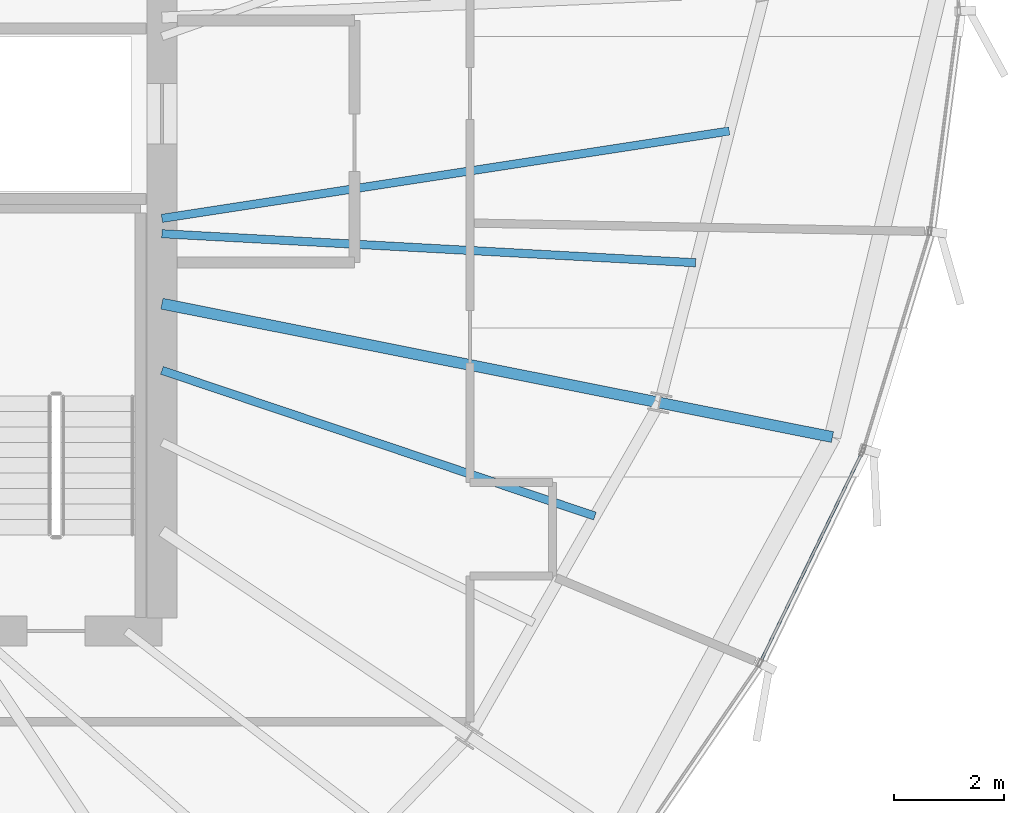
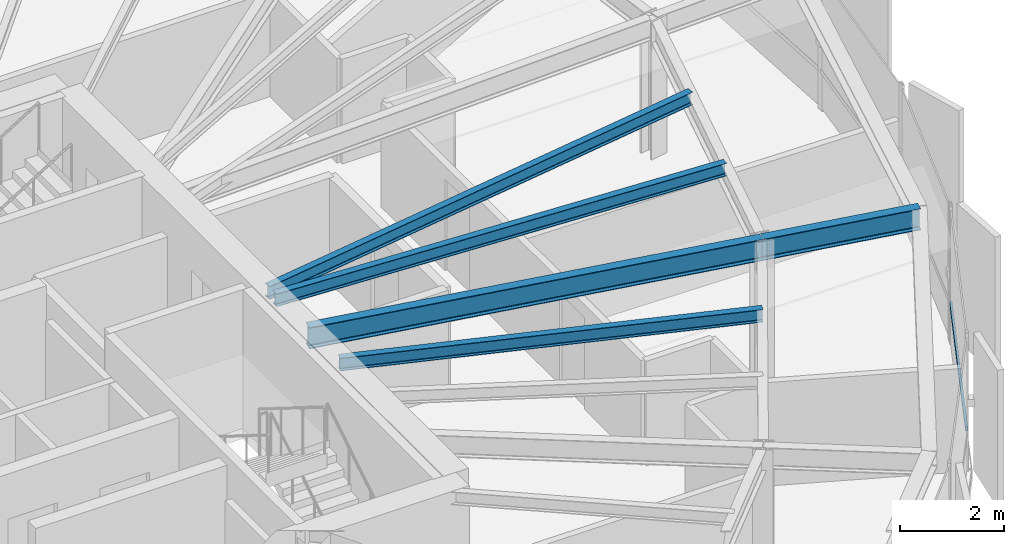
# One storey, part 14 of 34: 5 beams, 1 member, 1 element without a shape of its own.
"""IFC4 building model written with IfcOpenShell, lengths in metres."""

from ifc_helpers import new_model, si_unit, direction, frame, origin, origin_2d, place, context, subcontext, project, spatial, hollow_rectangle, i_section, extrude, source, transform, mapped, material, layer, layer_set, material_profile, profile_set, type_object, element, aggregate, save


model = new_model("IFC4")

# Units and contexts
model_context = context("Model", 3, precision=1e-05, world=origin(), true_north=direction((0.0, 1.0)))
body_context = subcontext(model_context, "Body", "Model", "MODEL_VIEW")
ifc_project = project(units=[si_unit("LENGTHUNIT", "METRE"), si_unit("AREAUNIT", "SQUARE_METRE"), si_unit("VOLUMEUNIT", "CUBIC_METRE"), si_unit("PLANEANGLEUNIT", "RADIAN"), si_unit("MASSUNIT", "GRAM", prefix="KILO"), si_unit("THERMODYNAMICTEMPERATUREUNIT", "KELVIN")], contexts=[model_context])

# Site, building, storey
site_placement = place(None, origin())
site = spatial("IfcSite", under=ifc_project, at=site_placement, CompositionType="ELEMENT")
building_placement = place(site_placement, origin())
building = spatial("IfcBuilding", under=site, at=building_placement, Name="Kethvar Cultural Tower", CompositionType="ELEMENT")
storey_placement = place(building_placement, frame((0.0, 0.0, 207.89990234375)))
storey = spatial("IfcBuildingStorey", under=building, at=storey_placement, Name="L54", CompositionType="ELEMENT", Elevation=207.89990234375)

# Beams
ifc_material_1 = material(Name="Steel S355J2", Category="steel")
ifc_material_profile_1 = material_profile(ifc_material_1, i_section(OverallWidth=0.199951171875, OverallDepth=0.5, WebThickness=0.01025390625, FlangeThickness=0.01611328125, FilletRadius=0.02099609375, at=origin_2d()), Name="Steel S355J2 — IPE500")
ifc_profile_set_1 = profile_set([ifc_material_profile_1], Name="Steel S355J2 — IPE500")
beam_type_1 = type_object("IfcBeamType", Name="BM-IPE500", PredefinedType="BEAM", material=ifc_profile_set_1)
shared_shape_1 = source(origin(), body_context, "Body", "SweptSolid", [
    extrude(i_section(OverallWidth=0.199951171875, OverallDepth=0.5, WebThickness=0.01025390625, FlangeThickness=0.01611328125, FilletRadius=0.02099609375, at=origin_2d()), origin(), (0.0, 0.0, 1.0), 3.199951171875),
])
beam_1_placement = place(storey_placement, frame((64.648681640625, 24.249755859375, 3.008056640625), z_axis=(0.980785550224, -0.195088965533, 0.0), x_axis=(0.195088965533, 0.980785550224, 0.0)))
element("IfcBeam", 1, at=beam_1_placement, inside=storey, type_object=beam_type_1, Name="L54 Perimeter Cantilever Beam RC-16", PredefinedType="BEAM", context=body_context, shape_type="MappedRepresentation", body=[
    mapped(shared_shape_1, transform((0.0, 0.0, 0.0), scale=1.0)),
])
shared_shape_2 = source(origin(), body_context, "Body", "SweptSolid", [
    extrude(i_section(OverallWidth=0.199951171875, OverallDepth=0.5, WebThickness=0.01025390625, FlangeThickness=0.01611328125, FilletRadius=0.02099609375, at=origin_2d()), origin(), (0.0, 0.0, 1.0), 9.225830078125),
])
beam_2_placement = place(storey_placement, frame((55.60009765625, 26.049560546875, 3.008056640625), z_axis=(0.980786744069, -0.195082963529, 0.0), x_axis=(0.195082963529, 0.980786744069, 0.0)))
element("IfcBeam", 2, at=beam_2_placement, inside=storey, type_object=beam_type_1, Name="L54 Primary Radial Beam RB-16", PredefinedType="BEAM", context=body_context, shape_type="MappedRepresentation", body=[
    mapped(shared_shape_2, transform((0.0, 0.0, 0.0), scale=1.0)),
])
ifc_material_profile_2 = material_profile(ifc_material_1, i_section(OverallWidth=0.14990234375, OverallDepth=0.300048828125, WebThickness=0.007080078125, FlangeThickness=0.0107421875, FilletRadius=0.014892578125, at=origin_2d()), Name="Steel S355J2 — IPE300")
ifc_profile_set_2 = profile_set([ifc_material_profile_2], Name="Steel S355J2 — IPE300")
beam_type_2 = type_object("IfcBeamType", Name="BM-J300", PredefinedType="JOIST", material=ifc_profile_set_2)
shared_shape_3 = source(origin(), body_context, "Body", "SweptSolid", [
    extrude(i_section(OverallWidth=0.14990234375, OverallDepth=0.300048828125, WebThickness=0.007080078125, FlangeThickness=0.0107421875, FilletRadius=0.014892578125, at=origin_2d()), origin(), (0.0, 0.0, 1.0), 8.303955078125),
])
beam_3_placement = place(storey_placement, frame((55.60009765625, 24.838134765625, 3.108154296875), z_axis=(0.94776496661, -0.318969540971, 0.0), x_axis=(0.318969540971, 0.94776496661, 0.0)))
element("IfcBeam", 3, at=beam_3_placement, inside=storey, type_object=beam_type_2, Name="L54 Composite Floor Joist J-15B", PredefinedType="JOIST", context=body_context, shape_type="MappedRepresentation", body=[
    mapped(shared_shape_3, transform((0.0, 0.0, 0.0), scale=1.0)),
])
shared_shape_4 = source(origin(), body_context, "Body", "SweptSolid", [
    extrude(i_section(OverallWidth=0.14990234375, OverallDepth=0.300048828125, WebThickness=0.007080078125, FlangeThickness=0.0107421875, FilletRadius=0.014892578125, at=origin_2d()), origin(), (0.0, 0.0, 1.0), 9.714111328125),
])
beam_4_placement = place(storey_placement, frame((55.60009765625, 27.3212890625, 3.108154296875), z_axis=(0.998522658081, -0.054336923906, 0.0), x_axis=(0.054336923906, 0.998522658081, 0.0)))
element("IfcBeam", 4, at=beam_4_placement, inside=storey, type_object=beam_type_2, Name="L54 Composite Floor Joist J-16A", PredefinedType="JOIST", context=body_context, shape_type="MappedRepresentation", body=[
    mapped(shared_shape_4, transform((0.0, 0.0, 0.0), scale=1.0)),
])
shared_shape_5 = source(origin(), body_context, "Body", "SweptSolid", [
    extrude(i_section(OverallWidth=0.14990234375, OverallDepth=0.300048828125, WebThickness=0.007080078125, FlangeThickness=0.0107421875, FilletRadius=0.014892578125, at=origin_2d()), origin(), (0.0, 0.0, 1.0), 10.43408203125),
])
beam_5_placement = place(storey_placement, frame((55.60009765625, 27.60009765625, 3.108154296875), z_axis=(0.988359792691, 0.152134546343, 0.0), x_axis=(-0.152134546343, 0.988359792691, 0.0)))
element("IfcBeam", 5, at=beam_5_placement, inside=storey, type_object=beam_type_2, Name="L54 Composite Floor Joist J-16B", PredefinedType="JOIST", context=body_context, shape_type="MappedRepresentation", body=[
    mapped(shared_shape_5, transform((0.0, 0.0, 0.0), scale=1.0)),
])

# Curtain wall, member
ifc_material_2 = material(Name="Aluminium 6063-T6", Category="aluminium")
ifc_layer = layer(ifc_material_2, 0.179931640625, Name="Aluminium 6063-T6", Category="aluminium")
ifc_layer_set = layer_set([ifc_layer], Name="Aluminium 6063-T6 (180 mm)")
curtain_wall_type = type_object("IfcCurtainWallType", Name="CW-SYS-04-Z34", PredefinedType="NOTDEFINED", material=ifc_layer_set)
curtain_wall_placement = place(storey_placement, origin())
curtain_wall = element("IfcCurtainWall", 6, at=curtain_wall_placement, inside=storey, type_object=curtain_wall_type, Name="L54 Curtain Wall Run 05", PredefinedType="NOTDEFINED")
ifc_material_profile_3 = material_profile(ifc_material_2, hollow_rectangle(XDim=0.050048828125, YDim=0.10009765625, WallThickness=0.00390625, at=origin_2d()), Name="Aluminium 6063-T6 — RHS100x50x4")
ifc_profile_set_3 = profile_set([ifc_material_profile_3], Name="Aluminium 6063-T6 — RHS100x50x4")
member_type = type_object("IfcMemberType", Name="CW-SYS-04-Z34-TRN", PredefinedType="USERDEFINED", material=ifc_profile_set_3)
shared_shape_6 = source(origin(), body_context, "Body", "SweptSolid", [
    extrude(hollow_rectangle(XDim=0.050048828125, YDim=0.10009765625, WallThickness=0.00390625, at=origin_2d()), origin(), (0.0, 0.0, 1.0), 4.21826171875),
])
member_placement = place(storey_placement, frame((66.486083984375, 19.5537109375, 0.9501953125), z_axis=(0.436462366117, 0.899722514425, 0.0), x_axis=(-0.899722514425, 0.436462366117, 0.0)))
member = element("IfcMember", 7, at=member_placement, type_object=member_type, Name="CW-L54-R05 Transom 6", ObjectType="TRANSOM", PredefinedType="USERDEFINED", context=body_context, shape_type="MappedRepresentation", body=[
    mapped(shared_shape_6, transform((0.0, 0.0, 0.0), scale=1.0)),
])
aggregate(curtain_wall, [member])

save(model, "model.ifc")
